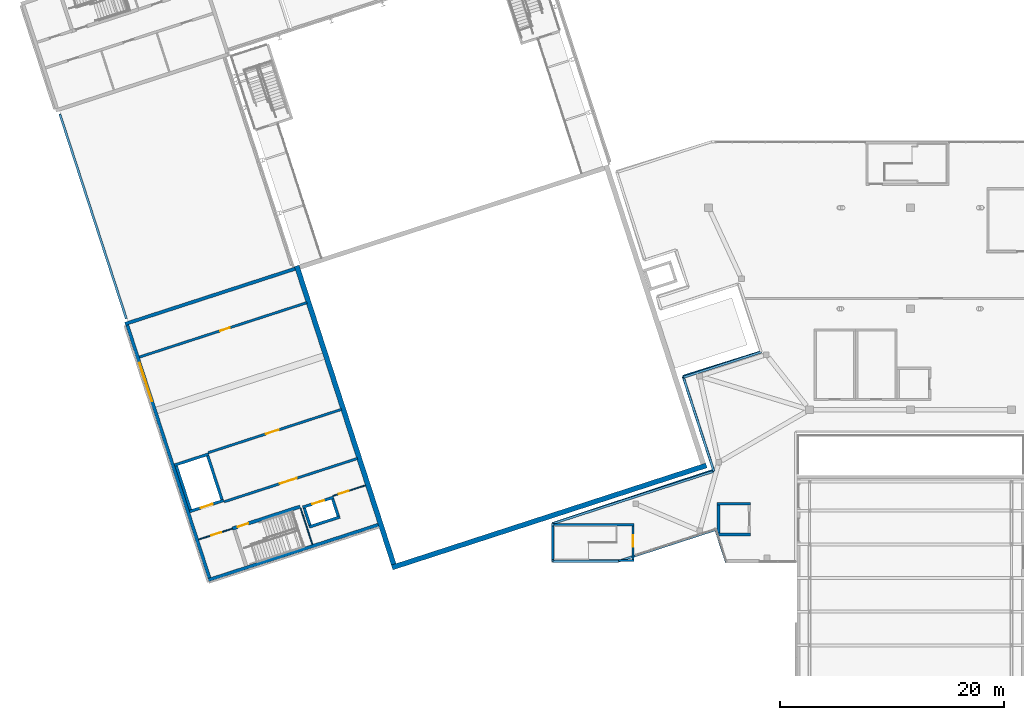
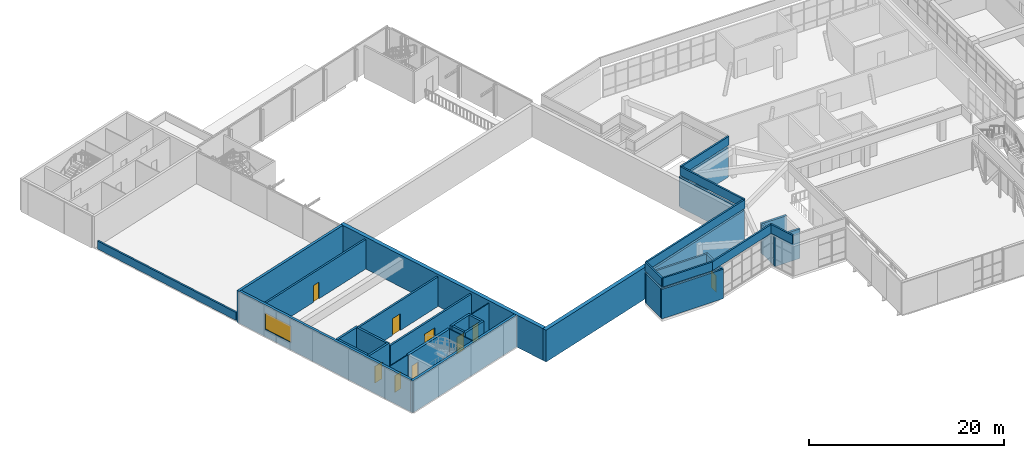
# One storey, part 60 of 72: 38 walls, 9 doors, 1 window, 10 openings.
"""IFC4 building model written with IfcOpenShell, lengths in metres."""

from ifc_helpers import new_model, si_unit, direction, frame, frame_2d, origin, place, context, subcontext, project, spatial, rectangle, extrude, material, layer, layer_set, type_object, element, fill, save


model = new_model("IFC4")

# Units and contexts
model_context = context("Model", 3, precision=1e-05, world=origin(), true_north=direction((0.0, 1.0)))
body_context = subcontext(model_context, "Body", "Model", "MODEL_VIEW")
ifc_project = project(units=[si_unit("LENGTHUNIT", "METRE"), si_unit("AREAUNIT", "SQUARE_METRE"), si_unit("VOLUMEUNIT", "CUBIC_METRE"), si_unit("PLANEANGLEUNIT", "RADIAN"), si_unit("MASSUNIT", "GRAM", prefix="KILO")], contexts=[model_context])

# Site, building, storey
site_placement = place(None, origin())
site = spatial("IfcSite", under=ifc_project, at=site_placement, CompositionType="ELEMENT")
building_placement = place(site_placement, origin())
building = spatial("IfcBuilding", under=site, at=building_placement, Name="Tuart Plaza Theatre", CompositionType="ELEMENT")
storey_placement = place(building_placement, frame((0.0, 0.0, 13.5)))
storey = spatial("IfcBuildingStorey", under=building, at=storey_placement, Name="L03", CompositionType="ELEMENT", Elevation=13.5)

# Walls
ifc_material_1 = material(Name="Concrete N40 (40 MPa)", Category="concrete")
ifc_layer_1 = layer(ifc_material_1, 0.199951171875)
ifc_layer_set_1 = layer_set([ifc_layer_1], Name="PARAPET RC200 EXT")
wall_type_1 = type_object("IfcWallType", Name="PARAPET RC200 EXT", PredefinedType="PARAPET", material=ifc_layer_set_1)
wall_1_placement = place(storey_placement, frame((26.10205078125, 64.0966796875, 0.0), z_axis=(0.0, 0.0, 1.0), x_axis=(-0.309016491071, 0.951056679828, 0.0)))
element("IfcWall", 1, at=wall_1_placement, inside=storey, type_object=wall_type_1, Name="P26", PredefinedType="PARAPET", context=body_context, shape_type="SweptSolid", body=[
    extrude(rectangle(XDim=19.199951171875, YDim=0.199951171875, at=frame_2d((9.60009765625, 0.0))), origin(), (0.0, 0.0, 1.0), 1.0),
])
wall_2_placement = place(storey_placement, frame((79.55908203125, 42.427978515625, 4.0), z_axis=(0.0, 0.0, 1.0), x_axis=(-0.308960243254, 0.95107495398, 0.0)))
element("IfcWall", 2, at=wall_2_placement, inside=storey, type_object=wall_type_1, Name="P59", PredefinedType="PARAPET", context=body_context, shape_type="SweptSolid", body=[
    extrude(rectangle(XDim=3.02734375, YDim=0.199951171875, at=frame_2d((1.513671875, 0.0))), origin(), (0.0, 0.0, 1.0), 1.10009765625),
])
wall_3_placement = place(storey_placement, frame((78.623779296875, 45.30712890625, 4.0), z_axis=(0.0, 0.0, 1.0), x_axis=(-0.951058555726, -0.309010717581, 0.0)))
element("IfcWall", 3, at=wall_3_placement, inside=storey, type_object=wall_type_1, Name="P60", PredefinedType="PARAPET", context=body_context, shape_type="SweptSolid", body=[
    extrude(rectangle(XDim=9.084228515625, YDim=0.199951171875, at=frame_2d((4.5419921875, 0.0))), origin(), (0.0, 0.0, 1.0), 1.10009765625),
])
wall_4_placement = place(storey_placement, frame((69.984130859375, 42.5, 4.0), z_axis=(0.0, 0.0, 1.0), x_axis=(-1.0, 0.0, 0.0)))
element("IfcWall", 4, at=wall_4_placement, inside=storey, type_object=wall_type_1, Name="P61", PredefinedType="PARAPET", context=body_context, shape_type="SweptSolid", body=[
    extrude(rectangle(XDim=5.884033203125, YDim=0.199951171875, at=frame_2d((2.94189453125, 0.0))), origin(), (0.0, 0.0, 1.0), 1.10009765625),
])
wall_5_placement = place(storey_placement, frame((64.10009765625, 42.5, 4.0), z_axis=(0.0, 0.0, 1.0), x_axis=(0.0, 1.0, 0.0)))
element("IfcWall", 5, at=wall_5_placement, inside=storey, type_object=wall_type_1, Name="P62", PredefinedType="PARAPET", context=body_context, shape_type="SweptSolid", body=[
    extrude(rectangle(XDim=3.34521484375, YDim=0.199951171875, at=frame_2d((1.672607421875, 0.0))), origin(), (0.0, 0.0, 1.0), 1.10009765625),
])
wall_6_placement = place(storey_placement, frame((64.10009765625, 45.84521484375, 4.0), z_axis=(0.0, 0.0, 1.0), x_axis=(0.951050343429, 0.309035991858, 0.0)))
element("IfcWall", 6, at=wall_6_placement, inside=storey, type_object=wall_type_1, Name="P63", PredefinedType="PARAPET", context=body_context, shape_type="SweptSolid", body=[
    extrude(rectangle(XDim=15.101806640625, YDim=0.199951171875, at=frame_2d((7.55078125, 0.0))), origin(), (0.0, 0.0, 1.0), 1.10009765625),
])
wall_7_placement = place(storey_placement, frame((78.462646484375, 50.51220703125, 4.0), z_axis=(0.0, 0.0, 1.0), x_axis=(-0.30901079133, 0.951058531764, 0.0)))
element("IfcWall", 7, at=wall_7_placement, inside=storey, type_object=wall_type_1, Name="P64", PredefinedType="PARAPET", context=body_context, shape_type="SweptSolid", body=[
    extrude(rectangle(XDim=8.7998046875, YDim=0.199951171875, at=frame_2d((4.39990234375, 0.0))), origin(), (0.0, 0.0, 1.0), 1.10009765625),
])
wall_8_placement = place(storey_placement, frame((75.743408203125, 58.88134765625, 4.0), z_axis=(0.0, 0.0, 1.0), x_axis=(0.951053974497, 0.309024817117, 0.0)))
element("IfcWall", 8, at=wall_8_placement, inside=storey, type_object=wall_type_1, Name="P65", PredefinedType="PARAPET", context=body_context, shape_type="SweptSolid", body=[
    extrude(rectangle(XDim=7.300048828125, YDim=0.199951171875, at=frame_2d((3.64990234375, 0.0))), origin(), (0.0, 0.0, 1.0), 1.10009765625),
])

# Wall, opening, door
ifc_material_2 = material(Name="Plasterboard on steel stud", Category="steel")
ifc_layer_2 = layer(ifc_material_2, 0.10009765625)
ifc_layer_set_2 = layer_set([ifc_layer_2], Name="PARTITION STD100 FRL 120/-/-")
wall_type_2 = type_object("IfcWallType", Name="PARTITION STD100 FRL 120/-/-", PredefinedType="PARTITIONING", material=ifc_layer_set_2)
wall_9_placement = place(storey_placement, frame((32.54638671875, 44.42529296875, 0.0), z_axis=(0.0, 0.0, 1.0), x_axis=(0.951058557014, 0.309010713619, 0.0)))
wall_9 = element("IfcWall", 9, at=wall_9_placement, inside=storey, type_object=wall_type_2, Name="P270", PredefinedType="PARTITIONING", context=body_context, shape_type="SweptSolid", body=[
    extrude(rectangle(XDim=3.14990234375, YDim=0.10009765625, at=frame_2d((1.574951171875, 0.0))), origin(), (0.0, 0.0, 1.0), 3.699951171875),
])
opening_1_placement = place(wall_9_placement, frame((1.199951171875, 0.0, 0.0)))
opening_1 = element("IfcOpeningElement", 10, at=opening_1_placement, cuts=wall_9, Name="Opening L03-004", PredefinedType="OPENING", context=body_context, shape_type="SweptSolid", body=[
    extrude(rectangle(XDim=0.89990234375, YDim=2.10009765625, at=frame_2d((0.449951171875, 1.050048828125))), frame((0.0, 0.06005859375, 0.0), z_axis=(0.0, -1.0, 0.0), x_axis=(1.0, 0.0, 0.0)), (0.0, 0.0, 1.0), 0.1201171875),
])
ifc_material_3 = material(Name="Timber", Category="wood")
door_type_1 = type_object("IfcDoorType", Name="DOOR 900x2100 timber single swing FRL -/60/30", OperationType="SINGLE_SWING_LEFT", PredefinedType="DOOR", material=ifc_material_3)
door_1_placement = place(opening_1_placement, frame((0.89990234375, 0.0, 0.0), z_axis=(0.0, 0.0, 1.0), x_axis=(-1.0, 0.0, 0.0)))
door_1 = element("IfcDoor", 11, at=door_1_placement, inside=storey, type_object=door_type_1, Name="L03-004", OperationType="SINGLE_SWING_RIGHT", OverallHeight=2.10009765625, OverallWidth=0.89990234375, PredefinedType="DOOR", context=body_context, shape_type="SweptSolid", body=[
    extrude(rectangle(XDim=0.89990234375, YDim=2.10009765625, at=frame_2d((0.449951171875, 1.050048828125))), frame((0.0, 0.02490234375, 0.0), z_axis=(0.0, -1.0, 0.0), x_axis=(1.0, 0.0, 0.0)), (0.0, 0.0, 1.0), 0.050048828125),
])
fill(opening_1, door_1)

wall_10_placement = place(storey_placement, frame((44.529541015625, 48.31884765625, 0.0), z_axis=(0.0, 0.0, 1.0), x_axis=(0.951053046121, 0.30902767427, 0.0)))
wall_10 = element("IfcWall", 12, at=wall_10_placement, inside=storey, type_object=wall_type_2, Name="P271", PredefinedType="PARTITIONING", context=body_context, shape_type="SweptSolid", body=[
    extrude(rectangle(XDim=3.02490234375, YDim=0.10009765625, at=frame_2d((1.512451171875, 0.0))), origin(), (0.0, 0.0, 1.0), 3.699951171875),
])
opening_2_placement = place(wall_10_placement, frame((0.533447265625, 0.0, 0.0)))
opening_2 = element("IfcOpeningElement", 13, at=opening_2_placement, cuts=wall_10, Name="Opening L03-005", PredefinedType="OPENING", context=body_context, shape_type="SweptSolid", body=[
    extrude(rectangle(XDim=0.89990234375, YDim=2.10009765625, at=frame_2d((0.449951171875, 1.050048828125))), frame((0.0, 0.06005859375, 0.0), z_axis=(0.0, -1.0, 0.0), x_axis=(1.0, 0.0, 0.0)), (0.0, 0.0, 1.0), 0.1201171875),
])
door_2_placement = place(opening_2_placement, frame((0.89990234375, 0.0, 0.0), z_axis=(0.0, 0.0, 1.0), x_axis=(-1.0, 0.0, 0.0)))
door_2 = element("IfcDoor", 14, at=door_2_placement, inside=storey, type_object=door_type_1, Name="L03-005", OperationType="SINGLE_SWING_LEFT", OverallHeight=2.10009765625, OverallWidth=0.89990234375, PredefinedType="DOOR", context=body_context, shape_type="SweptSolid", body=[
    extrude(rectangle(XDim=0.89990234375, YDim=2.10009765625, at=frame_2d((0.449951171875, 1.050048828125))), frame((0.0, 0.02490234375, 0.0), z_axis=(0.0, -1.0, 0.0), x_axis=(1.0, 0.0, 0.0)), (0.0, 0.0, 1.0), 0.050048828125),
])
fill(opening_2, door_2)

# Walls
ifc_material_4 = material(Name="Plasterboard on steel stud", Category="steel")
ifc_layer_3 = layer(ifc_material_4, 0.10009765625)
ifc_layer_set_3 = layer_set([ifc_layer_3], Name="PARTITION STD100 FRL 120/120/120")
wall_type_3 = type_object("IfcWallType", Name="PARTITION STD100 FRL 120/120/120", PredefinedType="PARTITIONING", material=ifc_layer_set_3)
wall_11_placement = place(storey_placement, frame((42.678466796875, 43.984619140625, 0.0), z_axis=(0.0, 0.0, 1.0), x_axis=(-0.309045481752, 0.951047259714, 0.0)))
element("IfcWall", 15, at=wall_11_placement, inside=storey, type_object=wall_type_3, Name="P273", PredefinedType="PARTITIONING", context=body_context, shape_type="SweptSolid", body=[
    extrude(rectangle(XDim=3.400146484375, YDim=0.10009765625, at=frame_2d((1.7001953125, 0.0))), origin(), (0.0, 0.0, 1.0), 3.699951171875),
])
ifc_material_5 = material(Name="Concrete N40 (40 MPa)", Category="concrete")
ifc_layer_4 = layer(ifc_material_5, 0.199951171875)
ifc_layer_set_4 = layer_set([ifc_layer_4], Name="SHEAR WALL RC200 FRL 120/120/120")
wall_type_4 = type_object("IfcWallType", Name="SHEAR WALL RC200 FRL 120/120/120", PredefinedType="SHEAR", material=ifc_layer_set_4)
wall_12_placement = place(storey_placement, frame((71.35009765625, 45.75, 0.0), z_axis=(0.0, 0.0, 1.0), x_axis=(-1.0, 0.0, 0.0)))
element("IfcWall", 16, at=wall_12_placement, inside=storey, type_object=wall_type_4, Name="W251", PredefinedType="SHEAR", context=body_context, shape_type="SweptSolid", body=[
    extrude(rectangle(XDim=7.35009765625, YDim=0.199951171875, at=frame_2d((3.675048828125, 0.0))), origin(), (0.0, 0.0, 1.0), 3.699951171875),
])
wall_13_placement = place(storey_placement, frame((64.10009765625, 45.64990234375, 0.0), z_axis=(0.0, 0.0, 1.0), x_axis=(0.0, -1.0, 0.0)))
element("IfcWall", 17, at=wall_13_placement, inside=storey, type_object=wall_type_4, Name="W252", PredefinedType="SHEAR", context=body_context, shape_type="SweptSolid", body=[
    extrude(rectangle(XDim=3.0, YDim=0.199951171875, at=frame_2d((1.5, 0.0))), origin(), (0.0, 0.0, 1.0), 3.699951171875),
])

# Wall, opening, door
wall_14_placement = place(storey_placement, frame((71.25, 42.64990234375, 0.0), z_axis=(0.0, 0.0, 1.0), x_axis=(0.0, 1.0, 0.0)))
wall_14 = element("IfcWall", 18, at=wall_14_placement, inside=storey, type_object=wall_type_4, Name="W253", PredefinedType="SHEAR", context=body_context, shape_type="SweptSolid", body=[
    extrude(rectangle(XDim=3.0, YDim=0.199951171875, at=frame_2d((1.5, 0.0))), origin(), (0.0, 0.0, 1.0), 3.699951171875),
])
opening_3_placement = place(wall_14_placement, frame((1.14990234375, 0.0, 0.0)))
opening_3 = element("IfcOpeningElement", 19, at=opening_3_placement, cuts=wall_14, Name="Opening L03-024", PredefinedType="OPENING", context=body_context, shape_type="SweptSolid", body=[
    extrude(rectangle(XDim=1.0, YDim=2.10009765625, at=frame_2d((0.5, 1.050048828125))), frame((0.0, 0.10986328125, 0.0), z_axis=(0.0, -1.0, 0.0), x_axis=(1.0, 0.0, 0.0)), (0.0, 0.0, 1.0), 0.219970703125),
])
ifc_material_6 = material(Name="Steel Grade 300", Category="steel")
door_type_2 = type_object("IfcDoorType", Name="DOOR 1000x2100 steel single swing FRL -/120/30", OperationType="SINGLE_SWING_LEFT", PredefinedType="DOOR", material=ifc_material_6)
door_3_placement = place(opening_3_placement, origin())
door_3 = element("IfcDoor", 20, at=door_3_placement, inside=storey, type_object=door_type_2, Name="L03-024", OperationType="SINGLE_SWING_LEFT", OverallHeight=2.10009765625, OverallWidth=1.0, PredefinedType="DOOR", context=body_context, shape_type="SweptSolid", body=[
    extrude(rectangle(XDim=1.0, YDim=2.10009765625, at=frame_2d((0.5, 1.050048828125))), frame((0.0, 0.02490234375, 0.0), z_axis=(0.0, -1.0, 0.0), x_axis=(1.0, 0.0, 0.0)), (0.0, 0.0, 1.0), 0.050048828125),
])
fill(opening_3, door_3)

# Walls
ifc_material_7 = material(Name="Concrete N40 (40 MPa)", Category="concrete")
ifc_layer_5 = layer(ifc_material_7, 0.199951171875)
ifc_layer_set_5 = layer_set([ifc_layer_5], Name="SHEAR WALL RC200 FRL 120/120/120 EXT")
wall_type_5 = type_object("IfcWallType", Name="SHEAR WALL RC200 FRL 120/120/120 EXT", PredefinedType="SHEAR", material=ifc_layer_set_5)
wall_15_placement = place(storey_placement, frame((64.0, 42.550048828125, 0.0), z_axis=(0.0, 0.0, 1.0), x_axis=(1.0, 0.0, 0.0)))
element("IfcWall", 21, at=wall_15_placement, inside=storey, type_object=wall_type_5, Name="W250", PredefinedType="SHEAR", context=body_context, shape_type="SweptSolid", body=[
    extrude(rectangle(XDim=7.35009765625, YDim=0.199951171875, at=frame_2d((3.675048828125, 0.0))), origin(), (0.0, 0.0, 1.0), 3.699951171875),
])
ifc_material_8 = material(Name="Concrete N40 (40 MPa)", Category="concrete")
ifc_layer_6 = layer(ifc_material_8, 0.25)
ifc_layer_set_6 = layer_set([ifc_layer_6], Name="SHEAR WALL RC250 FRL 120/120/120")
wall_type_6 = type_object("IfcWallType", Name="SHEAR WALL RC250 FRL 120/120/120", PredefinedType="SHEAR", material=ifc_layer_set_6)
wall_16_placement = place(storey_placement, frame((42.3818359375, 45.54443359375, 0.0), z_axis=(0.0, 0.0, 1.0), x_axis=(0.951071801089, 0.308969948659, 0.0)))
element("IfcWall", 22, at=wall_16_placement, inside=storey, type_object=wall_type_6, Name="W184", PredefinedType="SHEAR", context=body_context, shape_type="SweptSolid", body=[
    extrude(rectangle(XDim=2.89990234375, YDim=0.25, at=frame_2d((1.449951171875, 0.0))), origin(), (0.0, 0.0, 1.0), 4.0),
])
wall_17_placement = place(storey_placement, frame((44.982421875, 46.520751953125, 0.0), z_axis=(0.0, 0.0, 1.0), x_axis=(-0.308986014439, 0.951066581729, 0.0)))
element("IfcWall", 23, at=wall_17_placement, inside=storey, type_object=wall_type_6, Name="W185", PredefinedType="SHEAR", context=body_context, shape_type="SweptSolid", body=[
    extrude(rectangle(XDim=1.60009765625, YDim=0.25, at=frame_2d((0.800048828125, 0.0))), origin(), (0.0, 0.0, 1.0), 4.0),
])

# Wall, opening, door
wall_18_placement = place(storey_placement, frame((44.568359375, 48.199951171875, 0.0), z_axis=(0.0, 0.0, 1.0), x_axis=(-0.951047059821, -0.309046096893, 0.0)))
wall_18 = element("IfcWall", 24, at=wall_18_placement, inside=storey, type_object=wall_type_6, Name="W186", PredefinedType="SHEAR", context=body_context, shape_type="SweptSolid", body=[
    extrude(rectangle(XDim=2.89990234375, YDim=0.25, at=frame_2d((1.449951171875, 0.0))), origin(), (0.0, 0.0, 1.0), 4.0),
])
opening_4_placement = place(wall_18_placement, frame((0.89990234375, 0.0, 0.0)))
opening_4 = element("IfcOpeningElement", 25, at=opening_4_placement, cuts=wall_18, Name="Opening L03-001", PredefinedType="OPENING", context=body_context, shape_type="SweptSolid", body=[
    extrude(rectangle(XDim=1.10009765625, YDim=2.10009765625, at=frame_2d((0.550048828125, 1.050048828125))), frame((0.0, 0.135009765625, 0.0), z_axis=(0.0, -1.0, 0.0), x_axis=(1.0, 0.0, 0.0)), (0.0, 0.0, 1.0), 0.27001953125),
])
ifc_material_9 = material(Name="Steel Grade 300", Category="steel")
door_type_3 = type_object("IfcDoorType", Name="LANDING DOOR 1100x2100 steel sliding FRL -/120/30", OperationType="SLIDING_TO_LEFT", PredefinedType="DOOR", material=ifc_material_9)
door_4_placement = place(opening_4_placement, origin())
door_4 = element("IfcDoor", 26, at=door_4_placement, inside=storey, type_object=door_type_3, Name="L03-001", OperationType="SLIDING_TO_LEFT", OverallHeight=2.10009765625, OverallWidth=1.10009765625, PredefinedType="DOOR", context=body_context, shape_type="SweptSolid", body=[
    extrude(rectangle(XDim=1.10009765625, YDim=2.10009765625, at=frame_2d((0.550048828125, 1.050048828125))), frame((0.0, 0.02490234375, 0.0), z_axis=(0.0, -1.0, 0.0), x_axis=(1.0, 0.0, 0.0)), (0.0, 0.0, 1.0), 0.050048828125),
])
fill(opening_4, door_4)

# Wall
wall_19_placement = place(storey_placement, frame((41.9677734375, 47.2236328125, 0.0), z_axis=(0.0, 0.0, 1.0), x_axis=(0.308986014439, -0.951066581729, 0.0)))
element("IfcWall", 27, at=wall_19_placement, inside=storey, type_object=wall_type_6, Name="W187", PredefinedType="SHEAR", context=body_context, shape_type="SweptSolid", body=[
    extrude(rectangle(XDim=1.60009765625, YDim=0.25, at=frame_2d((0.800048828125, 0.0))), origin(), (0.0, 0.0, 1.0), 4.0),
])

# Wall, opening, door
wall_20_placement = place(storey_placement, frame((31.735107421875, 46.921630859375, 0.0), z_axis=(0.0, 0.0, 1.0), x_axis=(0.95104415986, 0.309055020985, 0.0)))
wall_20 = element("IfcWall", 28, at=wall_20_placement, inside=storey, type_object=wall_type_6, Name="W216", PredefinedType="SHEAR", context=body_context, shape_type="SweptSolid", body=[
    extrude(rectangle(XDim=3.2001953125, YDim=0.25, at=frame_2d((1.60009765625, 0.0))), origin(), (0.0, 0.0, 1.0), 4.0),
])
opening_5_placement = place(wall_20_placement, frame((1.050048828125, 0.0, 0.0)))
opening_5 = element("IfcOpeningElement", 29, at=opening_5_placement, cuts=wall_20, Name="Opening L03-002", PredefinedType="OPENING", context=body_context, shape_type="SweptSolid", body=[
    extrude(rectangle(XDim=1.10009765625, YDim=2.10009765625, at=frame_2d((0.550048828125, 1.050048828125))), frame((0.0, 0.135009765625, 0.0), z_axis=(0.0, -1.0, 0.0), x_axis=(1.0, 0.0, 0.0)), (0.0, 0.0, 1.0), 0.27001953125),
])
door_5_placement = place(opening_5_placement, origin())
door_5 = element("IfcDoor", 30, at=door_5_placement, inside=storey, type_object=door_type_3, Name="L03-002", OperationType="SLIDING_TO_LEFT", OverallHeight=2.10009765625, OverallWidth=1.10009765625, PredefinedType="DOOR", context=body_context, shape_type="SweptSolid", body=[
    extrude(rectangle(XDim=1.10009765625, YDim=2.10009765625, at=frame_2d((0.550048828125, 1.050048828125))), frame((0.0, 0.02490234375, 0.0), z_axis=(0.0, -1.0, 0.0), x_axis=(1.0, 0.0, 0.0)), (0.0, 0.0, 1.0), 0.050048828125),
])
fill(opening_5, door_5)

# Walls
wall_21_placement = place(storey_placement, frame((34.62109375, 47.990966796875, 0.0), z_axis=(0.0, 0.0, 1.0), x_axis=(-0.309055103076, 0.951044133184, 0.0)))
element("IfcWall", 31, at=wall_21_placement, inside=storey, type_object=wall_type_6, Name="W217", PredefinedType="SHEAR", context=body_context, shape_type="SweptSolid", body=[
    extrude(rectangle(XDim=4.099853515625, YDim=0.25, at=frame_2d((2.0498046875, 0.0))), origin(), (0.0, 0.0, 1.0), 4.0),
])
wall_22_placement = place(storey_placement, frame((33.434326171875, 52.047607421875, 0.0), z_axis=(0.0, 0.0, 1.0), x_axis=(-0.951066581729, -0.308986014439, 0.0)))
element("IfcWall", 32, at=wall_22_placement, inside=storey, type_object=wall_type_6, Name="W218", PredefinedType="SHEAR", context=body_context, shape_type="SweptSolid", body=[
    extrude(rectangle(XDim=3.199951171875, YDim=0.25, at=frame_2d((1.60009765625, 0.0))), origin(), (0.0, 0.0, 1.0), 4.0),
])
wall_23_placement = place(storey_placement, frame((30.54833984375, 50.978515625, 0.0), z_axis=(0.0, 0.0, 1.0), x_axis=(0.309055103076, -0.951044133184, 0.0)))
element("IfcWall", 33, at=wall_23_placement, inside=storey, type_object=wall_type_6, Name="W219", PredefinedType="SHEAR", context=body_context, shape_type="SweptSolid", body=[
    extrude(rectangle(XDim=4.099853515625, YDim=0.25, at=frame_2d((2.0498046875, 0.0))), origin(), (0.0, 0.0, 1.0), 4.0),
])
for number, where, z_axis, x_axis, name in (
    (34, (78.75, 44.875, 0.0), (0.0, 0.0, 1.0), (1.0, 0.0, 0.0), "W287"),
    (35, (81.75, 47.625, 0.0), (0.0, 0.0, 1.0), (-1.0, 0.0, 0.0), "W289"),
):
    element("IfcWall", number, at=place(storey_placement, frame(where, z_axis=z_axis, x_axis=x_axis)), inside=storey, type_object=wall_type_6, Name=name, PredefinedType="SHEAR", context=body_context, shape_type="SweptSolid", body=[
        extrude(rectangle(XDim=3.0, YDim=0.25, at=frame_2d((1.5, 0.0))), origin(), (0.0, 0.0, 1.0), 3.699951171875),
    ])
wall_24_placement = place(storey_placement, frame((78.875, 47.5, 0.0), z_axis=(0.0, 0.0, 1.0), x_axis=(0.0, -1.0, 0.0)))
element("IfcWall", 36, at=wall_24_placement, inside=storey, type_object=wall_type_6, Name="W290", PredefinedType="SHEAR", context=body_context, shape_type="SweptSolid", body=[
    extrude(rectangle(XDim=2.5, YDim=0.25, at=frame_2d((1.25, 0.0))), origin(), (0.0, 0.0, 1.0), 3.699951171875),
])
ifc_material_10 = material(Name="Concrete N50 (50 MPa)", Category="concrete")
ifc_layer_7 = layer(ifc_material_10, 0.449951171875)
ifc_layer_set_7 = layer_set([ifc_layer_7], Name="SHEAR WALL RC450 N50 FRL 120/120/120")
wall_type_7 = type_object("IfcWallType", Name="SHEAR WALL RC450 N50 FRL 120/120/120", PredefinedType="SHEAR", material=ifc_layer_set_7)
wall_25_placement = place(storey_placement, frame((49.7861328125, 41.930419921875, 0.0), z_axis=(0.0, 0.0, 1.0), x_axis=(0.951055937194, 0.309018776661, 0.0)))
element("IfcWall", 37, at=wall_25_placement, inside=storey, type_object=wall_type_7, Name="W33", PredefinedType="SHEAR", context=body_context, shape_type="SweptSolid", body=[
    extrude(rectangle(XDim=29.449951171875, YDim=0.449951171875, at=frame_2d((14.72509765625, 0.0))), origin(), (0.0, 0.0, 1.0), 4.0),
])
wall_26_placement = place(storey_placement, frame((49.930419921875, 42.2138671875, 0.0), z_axis=(0.0, 0.0, 1.0), x_axis=(-0.309016215614, 0.95105676933, 0.0)))
element("IfcWall", 38, at=wall_26_placement, inside=storey, type_object=wall_type_7, Name="W34", PredefinedType="SHEAR", context=body_context, shape_type="SweptSolid", body=[
    extrude(rectangle(XDim=27.97509765625, YDim=0.449951171875, at=frame_2d((13.987548828125, 0.0))), origin(), (0.0, 0.0, 1.0), 4.0),
])
ifc_material_11 = material(Name="Concrete N40 (40 MPa)", Category="concrete")
ifc_layer_8 = layer(ifc_material_11, 0.219970703125)
ifc_layer_set_8 = layer_set([ifc_layer_8], Name="WALL RC220 FRL 120/120/120")
wall_type_8 = type_object("IfcWallType", Name="WALL RC220 FRL 120/120/120", PredefinedType="SOLIDWALL", material=ifc_layer_set_8)
wall_27_placement = place(storey_placement, frame((64.080810546875, 45.859130859375, 0.0), z_axis=(0.0, 0.0, 1.0), x_axis=(0.949388338269, 0.314104732786, 0.0)))
element("IfcWall", 39, at=wall_27_placement, inside=storey, type_object=wall_type_8, Name="P39", PredefinedType="SOLIDWALL", context=body_context, shape_type="SweptSolid", body=[
    extrude(rectangle(XDim=15.1162109375, YDim=0.219970703125, at=frame_2d((7.55810546875, 0.0))), origin(), (0.0, 0.0, 1.0), 3.699951171875),
])
wall_28_placement = place(storey_placement, frame((78.431884765625, 50.607177734375, 0.0), z_axis=(0.0, 0.0, 1.0), x_axis=(-0.309027731765, 0.951053027439, 0.0)))
element("IfcWall", 40, at=wall_28_placement, inside=storey, type_object=wall_type_8, Name="P40", PredefinedType="SOLIDWALL", context=body_context, shape_type="SweptSolid", body=[
    extrude(rectangle(XDim=8.800048828125, YDim=0.219970703125, at=frame_2d((4.39990234375, 0.0))), origin(), (0.0, 0.0, 1.0), 3.699951171875),
])
wall_29_placement = place(storey_placement, frame((75.71240234375, 58.9765625, 0.0), z_axis=(0.0, 0.0, 1.0), x_axis=(0.954020604523, 0.299741031802, 0.0)))
element("IfcWall", 41, at=wall_29_placement, inside=storey, type_object=wall_type_8, Name="P41", PredefinedType="SOLIDWALL", context=body_context, shape_type="SweptSolid", body=[
    extrude(rectangle(XDim=7.27099609375, YDim=0.219970703125, at=frame_2d((3.635498046875, 0.0))), origin(), (0.0, 0.0, 1.0), 3.699951171875),
])

# Wall, opening, door
ifc_material_12 = material(Name="Concrete N40 (40 MPa)", Category="concrete")
ifc_layer_9 = layer(ifc_material_12, 0.219970703125)
ifc_layer_set_9 = layer_set([ifc_layer_9], Name="WALL RC220 LB FRL 120/120/120")
wall_type_9 = type_object("IfcWallType", Name="WALL RC220 LB FRL 120/120/120", PredefinedType="SOLIDWALL", material=ifc_layer_set_9)
wall_30_placement = place(storey_placement, frame((33.395751953125, 52.16650390625, 0.0), z_axis=(0.0, 0.0, 1.0), x_axis=(0.951054448053, 0.309023359697, 0.0)))
wall_30 = element("IfcWall", 42, at=wall_30_placement, inside=storey, type_object=wall_type_9, Name="W530", PredefinedType="SOLIDWALL", context=body_context, shape_type="SweptSolid", body=[
    extrude(rectangle(XDim=12.5, YDim=0.219970703125, at=frame_2d((6.25, 0.0))), origin(), (0.0, 0.0, 1.0), 3.699951171875),
])
opening_6_placement = place(wall_30_placement, frame((5.412109375, 0.0, 0.0)))
opening_6 = element("IfcOpeningElement", 43, at=opening_6_placement, cuts=wall_30, Name="Opening L03-010", PredefinedType="OPENING", context=body_context, shape_type="SweptSolid", body=[
    extrude(rectangle(XDim=1.199951171875, YDim=2.10009765625, at=frame_2d((0.60009765625, 1.050048828125))), frame((0.0, 0.119873046875, 0.0), z_axis=(0.0, -1.0, 0.0), x_axis=(1.0, 0.0, 0.0)), (0.0, 0.0, 1.0), 0.239990234375),
])
ifc_material_13 = material(Name="Timber", Category="wood")
door_type_4 = type_object("IfcDoorType", Name="DOOR 1200x2100 timber single swing FRL -/120/30", OperationType="SINGLE_SWING_LEFT", PredefinedType="DOOR", material=ifc_material_13)
door_6_placement = place(opening_6_placement, frame((1.199951171875, 0.0, 0.0), z_axis=(0.0, 0.0, 1.0), x_axis=(-1.0, 0.0, 0.0)))
door_6 = element("IfcDoor", 44, at=door_6_placement, inside=storey, type_object=door_type_4, Name="L03-010", OperationType="SINGLE_SWING_LEFT", OverallHeight=2.10009765625, OverallWidth=1.199951171875, PredefinedType="DOOR", context=body_context, shape_type="SweptSolid", body=[
    extrude(rectangle(XDim=1.199951171875, YDim=2.10009765625, at=frame_2d((0.60009765625, 1.050048828125))), frame((0.0, 0.02490234375, 0.0), z_axis=(0.0, -1.0, 0.0), x_axis=(1.0, 0.0, 0.0)), (0.0, 0.0, 1.0), 0.050048828125),
])
fill(opening_6, door_6)

wall_31_placement = place(storey_placement, frame((27.26220703125, 60.688232421875, 0.0), z_axis=(0.0, 0.0, 1.0), x_axis=(0.951055436362, 0.309020318046, 0.0)))
wall_31 = element("IfcWall", 45, at=wall_31_placement, inside=storey, type_object=wall_type_9, Name="W531", PredefinedType="SOLIDWALL", context=body_context, shape_type="SweptSolid", body=[
    extrude(rectangle(XDim=15.69970703125, YDim=0.219970703125, at=frame_2d((7.849853515625, 0.0))), origin(), (0.0, 0.0, 1.0), 3.699951171875),
])
opening_7_placement = place(wall_31_placement, frame((7.562744140625, 0.0, 0.0)))
opening_7 = element("IfcOpeningElement", 46, at=opening_7_placement, cuts=wall_31, Name="Opening L03-011", PredefinedType="OPENING", context=body_context, shape_type="SweptSolid", body=[
    extrude(rectangle(XDim=0.89990234375, YDim=2.10009765625, at=frame_2d((0.449951171875, 1.050048828125))), frame((0.0, 0.119873046875, 0.0), z_axis=(0.0, -1.0, 0.0), x_axis=(1.0, 0.0, 0.0)), (0.0, 0.0, 1.0), 0.239990234375),
])
ifc_material_14 = material(Name="Timber", Category="wood")
door_type_5 = type_object("IfcDoorType", Name="DOOR 900x2100 timber single swing FRL -/120/30", OperationType="SINGLE_SWING_LEFT", PredefinedType="DOOR", material=ifc_material_14)
door_7_placement = place(opening_7_placement, frame((0.89990234375, 0.0, 0.0), z_axis=(0.0, 0.0, 1.0), x_axis=(-1.0, 0.0, 0.0)))
door_7 = element("IfcDoor", 47, at=door_7_placement, inside=storey, type_object=door_type_5, Name="L03-011", OperationType="SINGLE_SWING_RIGHT", OverallHeight=2.10009765625, OverallWidth=0.89990234375, PredefinedType="DOOR", context=body_context, shape_type="SweptSolid", body=[
    extrude(rectangle(XDim=0.89990234375, YDim=2.10009765625, at=frame_2d((0.449951171875, 1.050048828125))), frame((0.0, 0.02490234375, 0.0), z_axis=(0.0, -1.0, 0.0), x_axis=(1.0, 0.0, 0.0)), (0.0, 0.0, 1.0), 0.050048828125),
])
fill(opening_7, door_7)

wall_32_placement = place(storey_placement, frame((34.817138671875, 47.791748046875, 0.0), z_axis=(0.0, 0.0, 1.0), x_axis=(0.951054448053, 0.309023359697, 0.0)))
wall_32 = element("IfcWall", 48, at=wall_32_placement, inside=storey, type_object=wall_type_9, Name="W532", PredefinedType="SOLIDWALL", context=body_context, shape_type="SweptSolid", body=[
    extrude(rectangle(XDim=12.5, YDim=0.219970703125, at=frame_2d((6.25, 0.0))), origin(), (0.0, 0.0, 1.0), 3.699951171875),
])
opening_8_placement = place(wall_32_placement, frame((5.212158203125, 0.0, 0.0)))
opening_8 = element("IfcOpeningElement", 49, at=opening_8_placement, cuts=wall_32, Name="Opening L03-009", PredefinedType="OPENING", context=body_context, shape_type="SweptSolid", body=[
    extrude(rectangle(XDim=1.60009765625, YDim=2.39990234375, at=frame_2d((0.800048828125, 1.199951171875))), frame((0.0, 0.119873046875, 0.0), z_axis=(0.0, -1.0, 0.0), x_axis=(1.0, 0.0, 0.0)), (0.0, 0.0, 1.0), 0.239990234375),
])
ifc_material_15 = material(Name="Timber", Category="wood")
door_type_6 = type_object("IfcDoorType", Name="DOOR 1600x2400 timber double swing FRL -/120/30", OperationType="DOUBLE_DOOR_SINGLE_SWING", PredefinedType="DOOR", material=ifc_material_15)
door_8_placement = place(opening_8_placement, frame((1.60009765625, 0.0, 0.0), z_axis=(0.0, 0.0, 1.0), x_axis=(-1.0, 0.0, 0.0)))
door_8 = element("IfcDoor", 50, at=door_8_placement, inside=storey, type_object=door_type_6, Name="L03-009", OperationType="DOUBLE_DOOR_SINGLE_SWING", OverallHeight=2.39990234375, OverallWidth=1.60009765625, PredefinedType="DOOR", context=body_context, shape_type="SweptSolid", body=[
    extrude(rectangle(XDim=1.60009765625, YDim=2.39990234375, at=frame_2d((0.800048828125, 1.199951171875))), frame((0.0, 0.02490234375, 0.0), z_axis=(0.0, -1.0, 0.0), x_axis=(1.0, 0.0, 0.0)), (0.0, 0.0, 1.0), 0.050048828125),
])
fill(opening_8, door_8)

# Wall
ifc_material_16 = material(Name="Concrete N40 (40 MPa)", Category="concrete")
ifc_layer_10 = layer(ifc_material_16, 0.300048828125)
ifc_layer_set_10 = layer_set([ifc_layer_10], Name="WALL RC300 LB FRL 120/120/120")
wall_type_10 = type_object("IfcWallType", Name="WALL RC300 LB FRL 120/120/120", PredefinedType="SOLIDWALL", material=ifc_layer_set_10)
wall_33_placement = place(storey_placement, frame((48.550048828125, 45.734619140625, 0.0), z_axis=(0.0, 0.0, 1.0), x_axis=(-0.951061216338, -0.309002528757, 0.0)))
element("IfcWall", 51, at=wall_33_placement, inside=storey, type_object=wall_type_10, Name="W83", PredefinedType="SOLIDWALL", context=body_context, shape_type="SweptSolid", body=[
    extrude(rectangle(XDim=15.925048828125, YDim=0.300048828125, at=frame_2d((7.96240234375, 0.0))), origin(), (0.0, 0.0, 1.0), 4.0),
])

# Wall, opening, window
wall_34_placement = place(storey_placement, frame((33.500732421875, 41.002685546875, 0.0), z_axis=(0.0, 0.0, 1.0), x_axis=(-0.309018056255, 0.951056171269, 0.0)))
wall_34 = element("IfcWall", 52, at=wall_34_placement, inside=storey, type_object=wall_type_10, Name="W84", PredefinedType="SOLIDWALL", context=body_context, shape_type="SweptSolid", body=[
    extrude(rectangle(XDim=23.699951171875, YDim=0.300048828125, at=frame_2d((11.85009765625, 0.0))), origin(), (0.0, 0.0, 1.0), 4.0),
])
opening_9_placement = place(wall_34_placement, frame((16.550048828125, 0.0, 0.89990234375)))
opening_9 = element("IfcOpeningElement", 53, at=opening_9_placement, cuts=wall_34, Name="Opening WN4", PredefinedType="OPENING", context=body_context, shape_type="SweptSolid", body=[
    extrude(rectangle(XDim=3.60009765625, YDim=2.10009765625, at=frame_2d((1.800048828125, 1.050048828125))), frame((0.0, 0.159912109375, 0.0), z_axis=(0.0, -1.0, 0.0), x_axis=(1.0, 0.0, 0.0)), (0.0, 0.0, 1.0), 0.320068359375),
])
ifc_material_17 = material(Name="Aluminium and glass", Category="aluminium")
window_type = type_object("IfcWindowType", Name="WINDOW 3600x2100 sill 900 aluminium double", PartitioningType="SINGLE_PANEL", PredefinedType="WINDOW", material=ifc_material_17)
window_placement = place(opening_9_placement, origin())
window = element("IfcWindow", 54, at=window_placement, inside=storey, type_object=window_type, Name="WN4", OverallHeight=2.10009765625, OverallWidth=3.60009765625, PartitioningType="SINGLE_PANEL", PredefinedType="WINDOW", context=body_context, shape_type="SweptSolid", body=[
    extrude(rectangle(XDim=3.60009765625, YDim=2.10009765625, at=frame_2d((1.800048828125, 1.050048828125))), frame((0.0, 0.030029296875, 0.0), z_axis=(0.0, -1.0, 0.0), x_axis=(1.0, 0.0, 0.0)), (0.0, 0.0, 1.0), 0.06005859375),
])
fill(opening_9, window)

# Wall
wall_35_placement = place(storey_placement, frame((25.988037109375, 63.638916015625, 0.0), z_axis=(0.0, 0.0, 1.0), x_axis=(0.951055246955, 0.309020900975, 0.0)))
element("IfcWall", 55, at=wall_35_placement, inside=storey, type_object=wall_type_10, Name="W85", PredefinedType="SOLIDWALL", context=body_context, shape_type="SweptSolid", body=[
    extrude(rectangle(XDim=15.925048828125, YDim=0.300048828125, at=frame_2d((7.96240234375, 0.0))), origin(), (0.0, 0.0, 1.0), 4.0),
])

# Wall, opening, door
wall_36_placement = place(storey_placement, frame((41.581298828125, 47.36083984375, 0.0), z_axis=(0.0, 0.0, 1.0), x_axis=(-0.951058929949, -0.309009565815, 0.0)))
wall_36 = element("IfcWall", 56, at=wall_36_placement, inside=storey, type_object=wall_type_10, Name="W107", PredefinedType="SOLIDWALL", context=body_context, shape_type="SweptSolid", body=[
    extrude(rectangle(XDim=6.349853515625, YDim=0.300048828125, at=frame_2d((3.1748046875, 0.0))), origin(), (0.0, 0.0, 1.0), 3.699951171875),
])
opening_10_placement = place(wall_36_placement, frame((4.85009765625, 0.0, 0.0)))
opening_10 = element("IfcOpeningElement", 57, at=opening_10_placement, cuts=wall_36, Name="Opening L03-015", PredefinedType="OPENING", context=body_context, shape_type="SweptSolid", body=[
    extrude(rectangle(XDim=1.0, YDim=2.10009765625, at=frame_2d((0.5, 1.050048828125))), frame((0.0, 0.159912109375, 0.0), z_axis=(0.0, -1.0, 0.0), x_axis=(1.0, 0.0, 0.0)), (0.0, 0.0, 1.0), 0.320068359375),
])
ifc_material_18 = material(Name="Timber", Category="wood")
door_type_7 = type_object("IfcDoorType", Name="DOOR 1000x2100 timber single swing FRL -/120/30", OperationType="SINGLE_SWING_LEFT", PredefinedType="DOOR", material=ifc_material_18)
door_9_placement = place(opening_10_placement, origin())
door_9 = element("IfcDoor", 58, at=door_9_placement, inside=storey, type_object=door_type_7, Name="L03-015", OperationType="SINGLE_SWING_LEFT", OverallHeight=2.10009765625, OverallWidth=1.0, PredefinedType="DOOR", context=body_context, shape_type="SweptSolid", body=[
    extrude(rectangle(XDim=1.0, YDim=2.10009765625, at=frame_2d((0.5, 1.050048828125))), frame((0.0, 0.02490234375, 0.0), z_axis=(0.0, -1.0, 0.0), x_axis=(1.0, 0.0, 0.0)), (0.0, 0.0, 1.0), 0.050048828125),
])
fill(opening_10, door_9)

save(model, "model.ifc")
